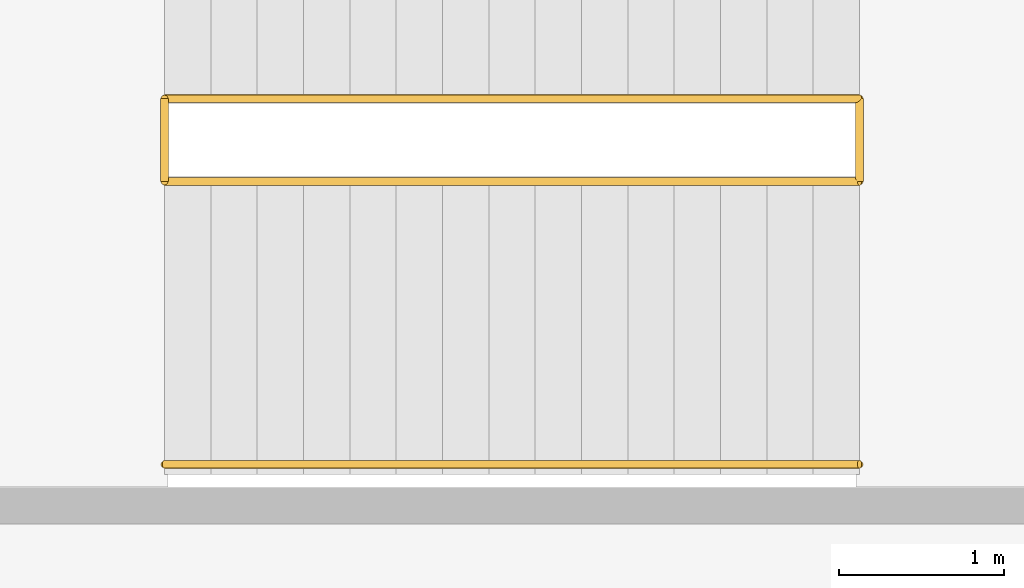
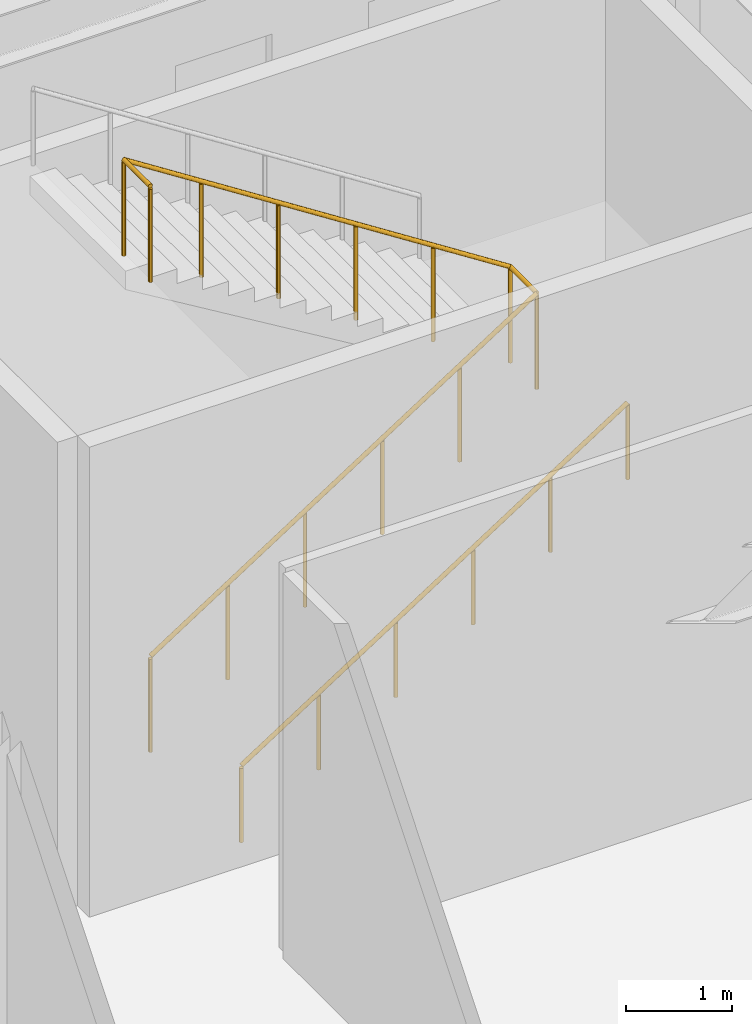
# One storey, part 154 of 159: 3 railings.
"""IFC4 building model written with IfcOpenShell, lengths in metres."""

from ifc_helpers import new_model, si_unit, derived_unit, direction, frame, origin, origin_2d, place, context, subcontext, project, spatial, circle, extrude, material, type_object, element, save


model = new_model("IFC4")

# Units and contexts
model_context = context("Model", 3, precision=1e-05, world=origin(), true_north=direction((0.0, 1.0)))
body_context = subcontext(model_context, "Body", "Model", "MODEL_VIEW")
ifc_project = project(units=[si_unit("LENGTHUNIT", "METRE"), si_unit("AREAUNIT", "SQUARE_METRE"), si_unit("VOLUMEUNIT", "CUBIC_METRE"), si_unit("PLANEANGLEUNIT", "RADIAN"), si_unit("MASSUNIT", "GRAM", prefix="KILO"), derived_unit("THERMALTRANSMITTANCEUNIT", [(si_unit("MASSUNIT", "GRAM", prefix="KILO"), 1), (si_unit("TIMEUNIT", "SECOND"), -3), (si_unit("THERMODYNAMICTEMPERATUREUNIT", "KELVIN"), -1)])], contexts=[model_context])

# Site, building, storey
site_placement = place(None, origin())
site = spatial("IfcSite", under=ifc_project, at=site_placement, CompositionType="ELEMENT")
building_placement = place(site_placement, origin())
building = spatial("IfcBuilding", under=site, at=building_placement, Name="Valcora Ridge Arena", CompositionType="ELEMENT")
storey_placement = place(building_placement, frame((0.0, 0.0, 6.0)))
storey = spatial("IfcBuildingStorey", under=building, at=storey_placement, Name="L01", CompositionType="ELEMENT", Elevation=6.0)

# Railings
ifc_material = material(Name="Galvanized painted steel ASTM A500 Grade B", Category="steel")
railing_type_1 = type_object("IfcRailingType", Name="TY-RAILING-GRD-STAIR-1120", PredefinedType="GUARDRAIL", material=ifc_material)
railing_1_placement = place(storey_placement, frame((112.06005859375, 126.449951171875, 0.0)))
element("IfcRailing", 1, at=railing_1_placement, inside=storey, type_object=railing_type_1, Name="GRD-STAIR-1120 RAL-SG-0163", PredefinedType="GUARDRAIL", context=body_context, shape_type="SweptSolid", body=[
    extrude(circle(Radius=0.02392578125, at=origin_2d()), frame((0.0, 0.0, 1.09619140625), z_axis=(0.841180064094, 0.0, 0.540755119968), x_axis=(0.0, 1.0, 0.0)), (0.0, 0.0, 1.0), 4.992919921875),
    extrude(circle(Radius=0.02392578125, at=origin_2d()), frame((4.199951171875, 0.0, 3.7958984375), z_axis=(0.0, 1.0, 0.0), x_axis=(-1.0, 0.0, 0.0)), (0.0, 0.0, 1.0), 0.5),
    extrude(circle(Radius=0.02392578125, at=origin_2d()), frame((4.199951171875, 0.5, 3.7958984375), z_axis=(-0.841180064094, 0.0, 0.540755119968), x_axis=(0.0, -1.0, 0.0)), (0.0, 0.0, 1.0), 4.992919921875),
    extrude(circle(Radius=0.02099609375, at=origin_2d()), origin(), (0.0, 0.0, 1.0), 1.072021484375),
    extrude(circle(Radius=0.02099609375, at=origin_2d()), frame((0.840087890625, 0.0, 0.5400390625)), (0.0, 0.0, 1.0), 1.072021484375),
    extrude(circle(Radius=0.02099609375, at=origin_2d()), frame((1.679931640625, 0.0, 1.080078125)), (0.0, 0.0, 1.0), 1.072021484375),
    extrude(circle(Radius=0.02099609375, at=origin_2d()), frame((2.52001953125, 0.0, 1.619873046875)), (0.0, 0.0, 1.0), 1.072021484375),
    extrude(circle(Radius=0.02099609375, at=origin_2d()), frame((3.35986328125, 0.0, 2.159912109375)), (0.0, 0.0, 1.0), 1.072021484375),
    extrude(circle(Radius=0.02099609375, at=origin_2d()), frame((4.199951171875, 0.0, 2.699951171875)), (0.0, 0.0, 1.0), 1.072021484375),
    extrude(circle(Radius=0.02099609375, at=origin_2d()), frame((4.199951171875, 0.5, 2.699951171875)), (0.0, 0.0, 1.0), 1.072021484375),
    extrude(circle(Radius=0.02099609375, at=origin_2d()), frame((3.35986328125, 0.5, 3.239990234375)), (0.0, 0.0, 1.0), 1.072021484375),
    extrude(circle(Radius=0.02099609375, at=origin_2d()), frame((2.52001953125, 0.5, 3.780029296875)), (0.0, 0.0, 1.0), 1.072021484375),
    extrude(circle(Radius=0.02099609375, at=origin_2d()), frame((1.679931640625, 0.5, 4.31982421875)), (0.0, 0.0, 1.0), 1.072021484375),
    extrude(circle(Radius=0.02099609375, at=origin_2d()), frame((0.840087890625, 0.5, 4.85986328125)), (0.0, 0.0, 1.0), 1.072021484375),
    extrude(circle(Radius=0.02099609375, at=origin_2d()), frame((0.0, 0.5, 5.39990234375)), (0.0, 0.0, 1.0), 1.072021484375),
])
railing_2_placement = place(storey_placement, frame((112.06005859375, 126.449951171875, 5.39990234375)))
element("IfcRailing", 2, at=railing_2_placement, inside=storey, type_object=railing_type_1, Name="GRD-STAIR-1120 RAL-SG-0164", PredefinedType="GUARDRAIL", context=body_context, shape_type="SweptSolid", body=[
    extrude(circle(Radius=0.02392578125, at=origin_2d()), frame((0.0, 0.0, 1.09619140625), z_axis=(0.0, 1.0, 0.0), x_axis=(-1.0, 0.0, 0.0)), (0.0, 0.0, 1.0), 0.5),
    extrude(circle(Radius=0.02099609375, at=origin_2d()), origin(), (0.0, 0.0, 1.0), 1.072021484375),
    extrude(circle(Radius=0.02099609375, at=origin_2d()), frame((0.0, 0.5, 0.0)), (0.0, 0.0, 1.0), 1.072021484375),
])
railing_type_2 = type_object("IfcRailingType", Name="TY-RAILING-HR-STAIR-900", PredefinedType="HANDRAIL", material=ifc_material)
railing_3_placement = place(storey_placement, frame((112.06005859375, 124.739990234375, 0.0)))
element("IfcRailing", 3, at=railing_3_placement, inside=storey, type_object=railing_type_2, Name="HR-STAIR-900 RAL-SH-0163", PredefinedType="HANDRAIL", context=body_context, shape_type="SweptSolid", body=[
    extrude(circle(Radius=0.02392578125, at=origin_2d()), frame((0.0, 0.0, 0.8759765625), z_axis=(0.841180064094, 0.0, 0.540755119968), x_axis=(0.0, 1.0, 0.0)), (0.0, 0.0, 1.0), 4.992919921875),
    extrude(circle(Radius=0.02099609375, at=origin_2d()), origin(), (0.0, 0.0, 1.0), 0.851806640625),
    extrude(circle(Radius=0.02099609375, at=origin_2d()), frame((0.840087890625, 0.0, 0.5400390625)), (0.0, 0.0, 1.0), 0.851806640625),
    extrude(circle(Radius=0.02099609375, at=origin_2d()), frame((1.679931640625, 0.0, 1.080078125)), (0.0, 0.0, 1.0), 0.851806640625),
    extrude(circle(Radius=0.02099609375, at=origin_2d()), frame((2.52001953125, 0.0, 1.619873046875)), (0.0, 0.0, 1.0), 0.851806640625),
    extrude(circle(Radius=0.02099609375, at=origin_2d()), frame((3.35986328125, 0.0, 2.159912109375)), (0.0, 0.0, 1.0), 0.851806640625),
    extrude(circle(Radius=0.02099609375, at=origin_2d()), frame((4.199951171875, 0.0, 2.699951171875)), (0.0, 0.0, 1.0), 0.851806640625),
])

save(model, "model.ifc")
